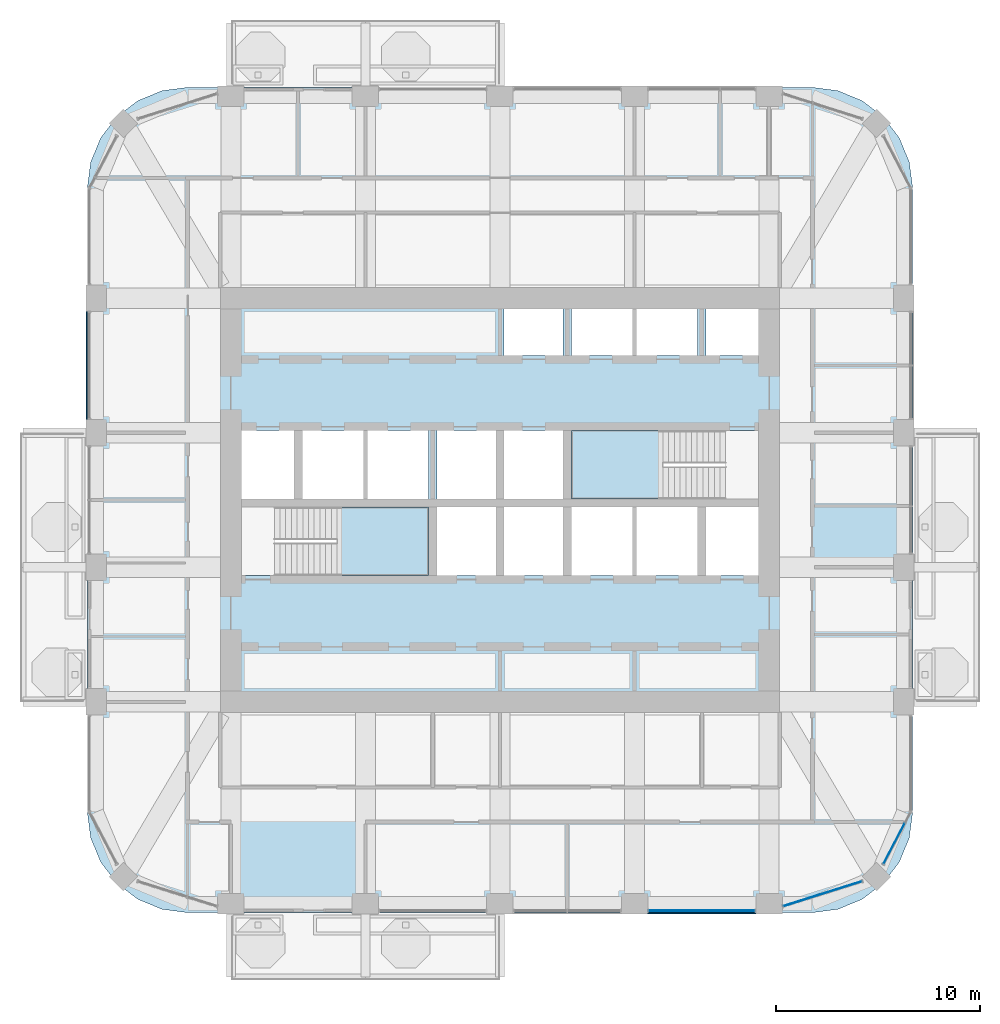
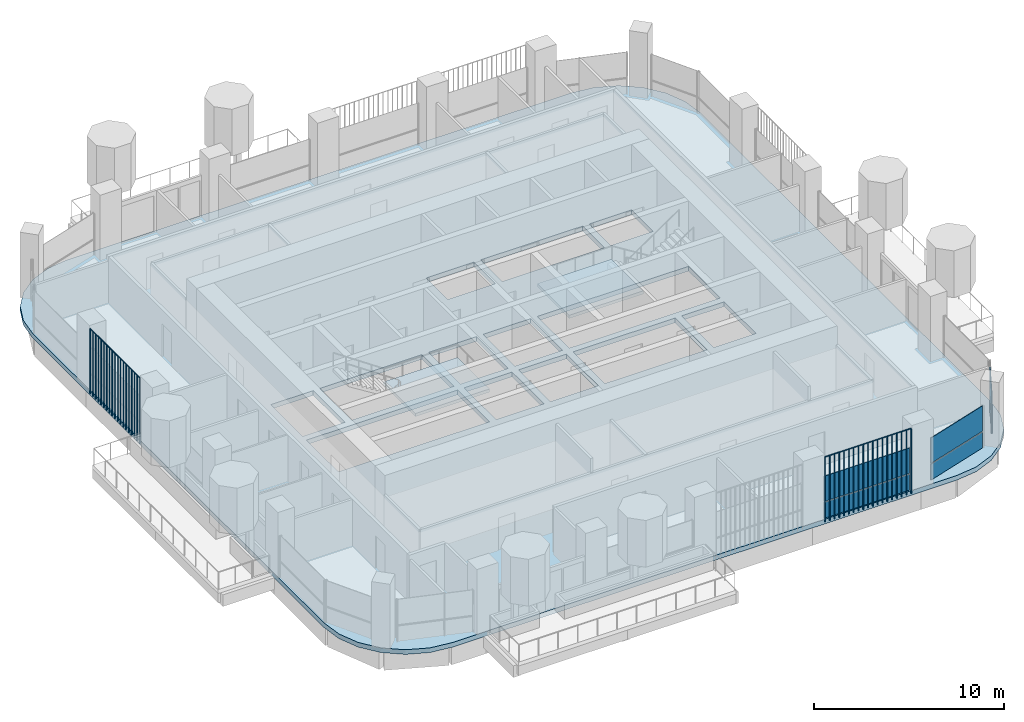
# One storey, part 8 of 20: 8 plates, 3 slabs, 5 elements without a shape of their own.
"""IFC4 building model written with IfcOpenShell, lengths in metres."""

import ifcopenshell
import ifcopenshell.guid

model = None  # the IFC model being written
_history = None  # IfcOwnerHistory: only IFC2X3 demands one
_inside = {}  # id of a spatial element -> (the spatial element, [elements in it])
_under = {}  # id of a project, library or spatial element -> (it, [spatial elements below it])
_declared = {}  # id of a project -> (the project, [libraries it declares])
_typed = {}  # id of a type object -> (the type object, [elements of that type])
_made_of = {}  # id of a material, layer set ... -> (it, [elements and type objects made of it])


def new_model(schema):
    """Start an empty IFC model of exactly this schema.

    Asked for "IFC4X3", IfcOpenShell would pick the latest addendum, in which some entities
    have other attributes; the version numbers below select the first issue.
    IFC2X3 requires an IfcOwnerHistory on every rooted entity: one is made here for all.
    """
    global model, _history
    if schema == "IFC4X3":
        model = ifcopenshell.file(schema_version=(4, 3, 0, 0))
    else:
        model = ifcopenshell.file(schema=schema)
    _inside.clear()
    _under.clear()
    _declared.clear()
    _typed.clear()
    _made_of.clear()
    _history = None
    if model.schema == "IFC2X3":
        org = make("IfcOrganization", Name="unknown")
        user = make(
            "IfcPersonAndOrganization",
            ThePerson=make("IfcPerson", FamilyName="unknown"),
            TheOrganization=org,
        )
        app = make(
            "IfcApplication",
            ApplicationDeveloper=org,
            Version="unknown",
            ApplicationFullName="unknown",
            ApplicationIdentifier="unknown",
        )
        _history = make(
            "IfcOwnerHistory",
            OwningUser=user,
            OwningApplication=app,
            ChangeAction="ADDED",
            CreationDate=0,
        )
    return model


def make(cls, **values):
    """One entity of the class cls with the attributes given. An attribute that is None is left unset."""
    return model.create_entity(
        cls, **{name: value for name, value in values.items() if value is not None}
    )


def rooted(cls, **values):
    """An entity with a GlobalId (a new one), such as an element, a storey or a relation."""
    return make(cls, GlobalId=ifcopenshell.guid.new(), OwnerHistory=_history, **values)


def si_unit(unit_type, name, prefix=None):
    """IfcSIUnit, for example si_unit("LENGTHUNIT", "METRE", prefix="MILLI")."""
    return make("IfcSIUnit", UnitType=unit_type, Prefix=prefix, Name=name)


def assignment(units):
    """IfcUnitAssignment: the units of a project."""
    return None if units is None else make("IfcUnitAssignment", Units=units)


def point(xyz):
    """IfcCartesianPoint."""
    return None if xyz is None else make("IfcCartesianPoint", Coordinates=xyz)


def direction(xyz):
    """IfcDirection."""
    return None if xyz is None else make("IfcDirection", DirectionRatios=xyz)


def frame(location, z_axis=None, x_axis=None):
    """IfcAxis2Placement3D, a coordinate frame: its origin and axes. An axis left out is left unset."""
    return make(
        "IfcAxis2Placement3D",
        Location=point(location),
        Axis=direction(z_axis),
        RefDirection=direction(x_axis),
    )


def frame_2d(location, x_axis=None):
    """IfcAxis2Placement2D, a coordinate frame in the plane: its origin and x axis."""
    return make(
        "IfcAxis2Placement2D", Location=point(location), RefDirection=direction(x_axis)
    )


def origin():
    """The frame at (0, 0, 0) with its axes left unset."""
    return frame((0.0, 0.0, 0.0))


def origin_2d():
    """The frame at (0, 0) in the plane with its x axis left unset."""
    return frame_2d((0.0, 0.0))


def place(relative_to, where):
    """IfcLocalPlacement: puts the frame where relative to a parent placement (None: the world)."""
    return make(
        "IfcLocalPlacement", PlacementRelTo=relative_to, RelativePlacement=where
    )


def context(
    kind, dimensions, precision=None, world=None, true_north=None, identifier=None
):
    """IfcGeometricRepresentationContext, for example the 3D "Model" context."""
    return make(
        "IfcGeometricRepresentationContext",
        ContextIdentifier=identifier,
        ContextType=kind,
        CoordinateSpaceDimension=dimensions,
        Precision=precision,
        WorldCoordinateSystem=world,
        TrueNorth=true_north,
    )


def subcontext(parent, identifier, kind, view, scale=None):
    """IfcGeometricRepresentationSubContext, for example "Body" below "Model"."""
    return make(
        "IfcGeometricRepresentationSubContext",
        ContextIdentifier=identifier,
        ContextType=kind,
        ParentContext=parent,
        TargetScale=scale,
        TargetView=view,
    )


def project(units=None, contexts=None):
    """IfcProject with its units and contexts."""
    return rooted(
        "IfcProject",
        Name="project",
        RepresentationContexts=contexts,
        UnitsInContext=assignment(units),
    )


def spatial(cls, under=None, at=None, **own):
    """A site, building, storey or space (cls), placed at a placement, below another one or the project."""
    s = rooted(cls, ObjectPlacement=at, **own)
    if under is not None:
        _under.setdefault(under.id(), (under, []))[1].append(s)
    return s


def polyline(points):
    """IfcPolyline through the points."""
    return make("IfcPolyline", Points=[point(p) for p in points])


def profile(cls, at=None, kind="AREA", **sizes):
    """A parametric profile (cls). Its sizes go by their IFC names, for example OverallWidth=200.0."""
    return make(cls, ProfileType=kind, Position=at, **sizes)


def rectangle(**sizes):
    """IfcRectangleProfileDef."""
    return profile("IfcRectangleProfileDef", **sizes)


def outline(outer, holes=None, kind="AREA"):
    """IfcArbitraryClosedProfileDef: a profile drawn as a closed curve; with holes, ...WithVoids."""
    if holes is None:
        return make("IfcArbitraryClosedProfileDef", ProfileType=kind, OuterCurve=outer)
    return make(
        "IfcArbitraryProfileDefWithVoids",
        ProfileType=kind,
        OuterCurve=outer,
        InnerCurves=holes,
    )


def extrude(swept, where, along, depth):
    """IfcExtrudedAreaSolid: the profile swept, set in the frame where, extruded along a direction by depth."""
    return make(
        "IfcExtrudedAreaSolid",
        SweptArea=swept,
        Position=where,
        ExtrudedDirection=direction(along),
        Depth=depth,
    )


def shape(context_of_items, identifier, shape_type, items):
    """IfcShapeRepresentation: the items that make up one representation, for example the "Body"."""
    return make(
        "IfcShapeRepresentation",
        ContextOfItems=context_of_items,
        RepresentationIdentifier=identifier,
        RepresentationType=shape_type,
        Items=items,
    )


def material(Name=None, Category=None):
    """IfcMaterial."""
    return make("IfcMaterial", Name=Name, Category=Category)


def layer(
    of_material, thickness, ventilated=None, Name=None, Category=None, Priority=None
):
    """IfcMaterialLayer: one layer of a wall or slab, of a material (None: an air gap)."""
    return make(
        "IfcMaterialLayer",
        Material=of_material,
        LayerThickness=thickness,
        IsVentilated=ventilated,
        Name=Name,
        Category=Category,
        Priority=Priority,
    )


def layer_set(layers, Name=None):
    """IfcMaterialLayerSet."""
    return make("IfcMaterialLayerSet", MaterialLayers=layers, LayerSetName=Name)


def made_of(thing, what):
    """Note that an element or type object is made of a material, layer set ...; save() writes the relation."""
    if what is not None:
        _made_of.setdefault(what.id(), (what, []))[1].append(thing)
    return thing


def type_object(cls, material=None, **own):
    """A type object (cls), such as IfcWallType, which elements share."""
    return made_of(rooted(cls, **own), material)


def element(
    cls,
    number,
    at=None,
    inside=None,
    cuts=None,
    type_object=None,
    material=None,
    context=None,
    identifier="Body",
    shape_type=None,
    held_by="IfcProductDefinitionShape",
    body=None,
    shapes=None,
    **own,
):
    """One element of the class cls, such as IfcWall. Its Tag is "e" and its number.

    at: its placement. inside: the storey or other place that contains it. cuts: it is an
    opening in that element (IfcRelVoidsElement). A single representation is given by context,
    identifier, shape_type and body (its items); several are given by shapes. held_by: the class
    of the entity that holds the representations. save() writes the other relations.
    """
    e = rooted(cls, Tag="e%d" % number, ObjectPlacement=at, **own)
    if body is not None:
        shapes = [shape(context, identifier, shape_type, body)]
    if shapes is not None:
        e.Representation = make(held_by, Representations=shapes)
    if inside is not None:
        _inside.setdefault(inside.id(), (inside, []))[1].append(e)
    if cuts is not None:
        rooted(
            "IfcRelVoidsElement", RelatingBuildingElement=cuts, RelatedOpeningElement=e
        )
    if type_object is not None:
        _typed.setdefault(type_object.id(), (type_object, []))[1].append(e)
    return made_of(e, material)


def aggregate(whole, parts):
    """IfcRelAggregates: a whole, such as a stair, and the parts it consists of."""
    return rooted("IfcRelAggregates", RelatingObject=whole, RelatedObjects=parts)


def save(model, path):
    """Write the relations noted so far, then the file.

    IfcRelAggregates (storeys below a building ...), IfcRelContainedInSpatialStructure (elements
    in a storey), IfcRelDefinesByType, IfcRelAssociatesMaterial and IfcRelDeclares: one each for
    every whole, place, type object, material and project.
    """
    for whole, parts in _under.values():
        aggregate(whole, parts)
    for where, things in _inside.values():
        rooted(
            "IfcRelContainedInSpatialStructure",
            RelatedElements=things,
            RelatingStructure=where,
        )
    for kind, things in _typed.values():
        rooted("IfcRelDefinesByType", RelatedObjects=things, RelatingType=kind)
    for what, things in _made_of.values():
        rooted("IfcRelAssociatesMaterial", RelatedObjects=things, RelatingMaterial=what)
    for by, libraries in _declared.values():
        rooted("IfcRelDeclares", RelatingContext=by, RelatedDefinitions=libraries)
    model.write(path)


model = new_model("IFC4")

# Units and contexts
model_context = context("Model", 3, precision=1e-05, world=origin(), true_north=direction((0.0, 1.0)))
body_context = subcontext(model_context, "Body", "Model", "MODEL_VIEW")
ifc_project = project(units=[si_unit("LENGTHUNIT", "METRE"), si_unit("AREAUNIT", "SQUARE_METRE"), si_unit("VOLUMEUNIT", "CUBIC_METRE"), si_unit("PLANEANGLEUNIT", "RADIAN"), si_unit("MASSUNIT", "GRAM", prefix="KILO")], contexts=[model_context])

# Site, building, storey
site_placement = place(None, origin())
site = spatial("IfcSite", under=ifc_project, at=site_placement, CompositionType="ELEMENT")
building_placement = place(site_placement, origin())
building = spatial("IfcBuilding", under=site, at=building_placement, Name="Cobogo Forest Laboratory Tower", CompositionType="ELEMENT")
storey_placement = place(building_placement, frame((0.0, 0.0, 254.39990234375)))
storey = spatial("IfcBuildingStorey", under=building, at=storey_placement, Name="L58", CompositionType="ELEMENT", Elevation=254.39990234375)

# Slab
ifc_material_1 = material(Name="Concrete HA-40 (C40/50)", Category="concrete")
ifc_layer_1 = layer(ifc_material_1, 0.300048828125)
ifc_layer_set_1 = layer_set([ifc_layer_1], Name="Floor slab 300")
slab_type_1 = type_object("IfcSlabType", Name="Floor slab 300", PredefinedType="FLOOR", material=ifc_layer_set_1)
slab_1_placement = place(storey_placement, frame((0.0, 0.0, -0.2998046875)))
element("IfcSlab", 1, at=slab_1_placement, inside=storey, type_object=slab_type_1, Name="L58 floor slab", PredefinedType="FLOOR", context=body_context, shape_type="SweptSolid", body=[
    extrude(outline(polyline([(41.699951171875, 2.85009765625), (42.981201171875, 3.0185546875), (44.175048828125, 3.51318359375), (45.2001953125, 4.2998046875), (45.98681640625, 5.324951171875), (46.4814453125, 6.518798828125), (46.64990234375, 7.800048828125), (46.64990234375, 38.39990234375), (46.4814453125, 39.68115234375), (45.98681640625, 40.875), (45.2001953125, 41.900146484375), (44.175048828125, 42.686767578125), (42.981201171875, 43.181396484375), (41.699951171875, 43.35009765625), (11.10009765625, 43.35009765625), (9.81884765625, 43.181396484375), (8.625, 42.686767578125), (7.599853515625, 41.900146484375), (6.813232421875, 40.875), (6.318603515625, 39.68115234375), (6.14990234375, 38.39990234375), (6.14990234375, 7.800048828125), (6.318603515625, 6.518798828125), (6.813232421875, 5.324951171875), (7.599853515625, 4.2998046875), (8.625, 3.51318359375), (9.81884765625, 3.0185546875), (11.10009765625, 2.85009765625), (41.699951171875, 2.85009765625)]), holes=[polyline([(22.89990234375, 19.39990234375), (13.72509765625, 19.39990234375), (13.72509765625, 22.75), (22.89990234375, 22.75), (22.89990234375, 19.39990234375)]), polyline([(26.199951171875, 19.39990234375), (23.300048828125, 19.39990234375), (23.300048828125, 22.75), (26.199951171875, 22.75), (26.199951171875, 19.39990234375)]), polyline([(29.5, 19.39990234375), (26.60009765625, 19.39990234375), (26.60009765625, 22.75), (29.5, 22.75), (29.5, 19.39990234375)]), polyline([(36.10009765625, 22.75), (36.10009765625, 19.39990234375), (29.89990234375, 19.39990234375), (29.89990234375, 22.75), (36.10009765625, 22.75)]), polyline([(39.074951171875, 19.39990234375), (36.5, 19.39990234375), (36.5, 22.75), (39.074951171875, 22.75), (39.074951171875, 19.39990234375)]), polyline([(16.300048828125, 23.14990234375), (13.72509765625, 23.14990234375), (13.72509765625, 26.5), (16.300048828125, 26.5), (16.300048828125, 23.14990234375)]), polyline([(22.89990234375, 26.5), (22.89990234375, 23.14990234375), (16.699951171875, 23.14990234375), (16.699951171875, 26.5), (22.89990234375, 26.5)]), polyline([(26.199951171875, 23.14990234375), (23.300048828125, 23.14990234375), (23.300048828125, 26.5), (26.199951171875, 26.5), (26.199951171875, 23.14990234375)]), polyline([(29.5, 23.14990234375), (26.60009765625, 23.14990234375), (26.60009765625, 26.5), (29.5, 26.5), (29.5, 23.14990234375)]), polyline([(39.074951171875, 23.14990234375), (29.89990234375, 23.14990234375), (29.89990234375, 26.5), (39.074951171875, 26.5), (39.074951171875, 23.14990234375)]), polyline([(29.5, 30.199951171875), (26.60009765625, 30.199951171875), (26.60009765625, 32.47509765625), (29.5, 32.47509765625), (29.5, 30.199951171875)]), polyline([(36.10009765625, 32.47509765625), (36.10009765625, 30.199951171875), (29.89990234375, 30.199951171875), (29.89990234375, 32.47509765625), (36.10009765625, 32.47509765625)]), polyline([(39.074951171875, 30.199951171875), (36.5, 30.199951171875), (36.5, 32.47509765625), (39.074951171875, 32.47509765625), (39.074951171875, 30.199951171875)])]), origin(), (0.0, 0.0, 1.0), 0.2998046875),
])

# Curtain wall, plates
ifc_material_2 = material(Name="Aluminium curtain wall", Category="aluminium")
curtain_wall_type = type_object("IfcCurtainWallType", Name="CW-2 unitised curtain wall, solar control glazing, laboratory floors zones C and D", PredefinedType="USERDEFINED", material=ifc_material_2)
curtain_wall_1_placement = place(storey_placement, origin())
curtain_wall_1 = element("IfcCurtainWall", 2, at=curtain_wall_1_placement, inside=storey, type_object=curtain_wall_type, Name="Curtain wall 04 L58", ObjectType="UNITISED CURTAIN WALL", PredefinedType="USERDEFINED")
ifc_material_3 = material(Name="Solar control insulated glass", Category="glass")
ifc_layer_2 = layer(ifc_material_3, 0.031982421875)
ifc_layer_set_2 = layer_set([ifc_layer_2], Name="GP-2 solar control glass unit 32")
plate_type_1 = type_object("IfcPlateType", Name="GP-2 solar control glass unit 32", PredefinedType="CURTAIN_PANEL", material=ifc_layer_set_2)
plate_1_placement = place(storey_placement, frame((36.300048828125, 2.949951171875, 0.0), z_axis=(0.0, 0.0, 1.0), x_axis=(1.0, 0.0, 0.0)))
plate_1 = element("IfcPlate", 3, at=plate_1_placement, type_object=plate_type_1, Name="CW-2 panel 1.1", PredefinedType="CURTAIN_PANEL", context=body_context, shape_type="SweptSolid", body=[
    extrude(rectangle(XDim=5.179931640625, YDim=0.031982421875, at=origin_2d()), origin(), (0.0, 0.0, 1.0), 1.02001953125),
])
plate_2_placement = place(storey_placement, frame((36.300048828125, 2.949951171875, 1.080078125), z_axis=(0.0, 0.0, 1.0), x_axis=(1.0, 0.0, 0.0)))
plate_2 = element("IfcPlate", 4, at=plate_2_placement, type_object=plate_type_1, Name="CW-2 panel 1.2", PredefinedType="CURTAIN_PANEL", context=body_context, shape_type="SweptSolid", body=[
    extrude(rectangle(XDim=5.179931640625, YDim=0.031982421875, at=origin_2d()), origin(), (0.0, 0.0, 1.0), 1.6201171875),
])
aggregate(curtain_wall_1, [plate_1, plate_2])

curtain_wall_2_placement = place(storey_placement, origin())
curtain_wall_2 = element("IfcCurtainWall", 5, at=curtain_wall_2_placement, inside=storey, type_object=curtain_wall_type, Name="Curtain wall 05 L58", ObjectType="UNITISED CURTAIN WALL", PredefinedType="USERDEFINED")
plate_3_placement = place(storey_placement, frame((42.2275390625, 3.77978515625, 0.0), z_axis=(0.0, 0.0, 1.0), x_axis=(0.953581386052, 0.301135418334, 0.0)))
plate_3 = element("IfcPlate", 6, at=plate_3_placement, type_object=plate_type_1, Name="CW-2 panel 1.1", PredefinedType="CURTAIN_PANEL", context=body_context, shape_type="SweptSolid", body=[
    extrude(rectangle(XDim=4.02734375, YDim=0.031982421875, at=origin_2d()), origin(), (0.0, 0.0, 1.0), 1.02001953125),
])
plate_4_placement = place(storey_placement, frame((42.2275390625, 3.77978515625, 1.080078125), z_axis=(0.0, 0.0, 1.0), x_axis=(0.953581386052, 0.301135418334, 0.0)))
plate_4 = element("IfcPlate", 7, at=plate_4_placement, type_object=plate_type_1, Name="CW-2 panel 1.2", PredefinedType="CURTAIN_PANEL", context=body_context, shape_type="SweptSolid", body=[
    extrude(rectangle(XDim=4.02734375, YDim=0.031982421875, at=origin_2d()), origin(), (0.0, 0.0, 1.0), 1.6201171875),
])
aggregate(curtain_wall_2, [plate_3, plate_4])

curtain_wall_3_placement = place(storey_placement, origin())
curtain_wall_3 = element("IfcCurtainWall", 8, at=curtain_wall_3_placement, inside=storey, type_object=curtain_wall_type, Name="Curtain wall 06 L58", ObjectType="UNITISED CURTAIN WALL", PredefinedType="USERDEFINED")
plate_5_placement = place(storey_placement, frame((45.7353515625, 6.24609375, 0.0), z_axis=(0.0, 0.0, 1.0), x_axis=(0.464283791352, 0.885686491422, 0.0)))
plate_5 = element("IfcPlate", 9, at=plate_5_placement, type_object=plate_type_1, Name="CW-2 panel 1.1", PredefinedType="CURTAIN_PANEL", context=body_context, shape_type="SweptSolid", body=[
    extrude(rectangle(XDim=2.236328125, YDim=0.031982421875, at=origin_2d()), origin(), (0.0, 0.0, 1.0), 1.02001953125),
])
plate_6_placement = place(storey_placement, frame((45.7353515625, 6.24609375, 1.080078125), z_axis=(0.0, 0.0, 1.0), x_axis=(0.464283791352, 0.885686491422, 0.0)))
plate_6 = element("IfcPlate", 10, at=plate_6_placement, type_object=plate_type_1, Name="CW-2 panel 1.2", PredefinedType="CURTAIN_PANEL", context=body_context, shape_type="SweptSolid", body=[
    extrude(rectangle(XDim=2.236328125, YDim=0.031982421875, at=origin_2d()), origin(), (0.0, 0.0, 1.0), 1.6201171875),
])
aggregate(curtain_wall_3, [plate_5, plate_6])

# Stair, slab
ifc_material_4 = material(Name="Precast concrete HA-40 (C40/50)", Category="concrete")
stair_type = type_object("IfcStairType", Name="ST24 exit stair 24 risers", PredefinedType="HALF_TURN_STAIR", material=ifc_material_4)
stair_1_placement = place(storey_placement, origin())
stair_1 = element("IfcStair", 11, at=stair_1_placement, inside=storey, type_object=stair_type, Name="Stair 1 L58 to L59", PredefinedType="HALF_TURN_STAIR")
ifc_layer_3 = layer(ifc_material_1, 0.199951171875)
ifc_layer_set_3 = layer_set([ifc_layer_3], Name="SL stair landing 200")
slab_type_2 = type_object("IfcSlabType", Name="SL stair landing 200", PredefinedType="LANDING", material=ifc_layer_set_3)
slab_2_placement = place(storey_placement, frame((0.0, 0.0, 1.900146484375)))
slab_2 = element("IfcSlab", 12, at=slab_2_placement, type_object=slab_type_2, Name="ST1 landing 2", PredefinedType="LANDING", context=body_context, shape_type="SweptSolid", body=[
    extrude(outline(polyline([(18.403076171875, 19.39990234375), (22.89990234375, 19.39990234375), (22.89990234375, 22.75), (18.403076171875, 22.75), (18.403076171875, 19.39990234375)])), origin(), (0.0, 0.0, 1.0), 0.199951171875),
])
aggregate(stair_1, [slab_2])

stair_2_placement = place(storey_placement, origin())
stair_2 = element("IfcStair", 13, at=stair_2_placement, inside=storey, type_object=stair_type, Name="Stair 2 L58 to L59", PredefinedType="HALF_TURN_STAIR")
slab_3_placement = place(storey_placement, frame((0.0, 0.0, 1.900146484375)))
slab_3 = element("IfcSlab", 14, at=slab_3_placement, type_object=slab_type_2, Name="ST2 landing 2", PredefinedType="LANDING", context=body_context, shape_type="SweptSolid", body=[
    extrude(outline(polyline([(29.89990234375, 23.14990234375), (34.39697265625, 23.14990234375), (34.39697265625, 26.5), (29.89990234375, 26.5), (29.89990234375, 23.14990234375)])), origin(), (0.0, 0.0, 1.0), 0.199951171875),
])
aggregate(stair_2, [slab_3])

# Plates
ifc_material_5 = material(Name="Terracotta", Category="masonry")
plate_type_2 = type_object("IfcPlateType", Name="TB1 terracotta baguette screen", PredefinedType="USERDEFINED", material=ifc_material_5)
plate_7_placement = place(storey_placement, frame((33.68115234375, 2.822021484375, -0.14990234375)))
element("IfcPlate", 15, at=plate_7_placement, inside=storey, type_object=plate_type_2, Name="Baguette screen S4 L58", ObjectType="BAGUETTE SCREEN", PredefinedType="USERDEFINED", context=body_context, shape_type="SweptSolid", body=[
    extrude(outline(polyline([(0.02880859375, 0.011962890625), (0.011962890625, 0.02880859375), (-0.011962890625, 0.02880859375), (-0.02880859375, 0.011962890625), (-0.02880859375, -0.011962890625), (-0.011962890625, -0.02880859375), (0.011962890625, -0.02880859375), (0.02880859375, -0.011962890625), (0.02880859375, 0.011962890625)])), frame((0.0, 0.0, 4.168701171875), z_axis=(1.0, 0.0, 0.0), x_axis=(0.0, 1.0, 0.0)), (0.0, 0.0, 1.0), 5.237548828125),
    extrude(outline(polyline([(0.02880859375, 0.011962890625), (0.011962890625, 0.02880859375), (-0.011962890625, 0.02880859375), (-0.02880859375, 0.011962890625), (-0.02880859375, -0.011962890625), (-0.011962890625, -0.02880859375), (0.011962890625, -0.02880859375), (0.02880859375, -0.011962890625), (0.02880859375, 0.011962890625)])), origin(), (0.0, 0.0, 1.0), 4.137451171875),
    extrude(outline(polyline([(0.02880859375, 0.011962890625), (0.011962890625, 0.02880859375), (-0.011962890625, 0.02880859375), (-0.02880859375, 0.011962890625), (-0.02880859375, -0.011962890625), (-0.011962890625, -0.02880859375), (0.011962890625, -0.02880859375), (0.02880859375, -0.011962890625), (0.02880859375, 0.011962890625)])), frame((0.291015625, 0.0, 0.0)), (0.0, 0.0, 1.0), 4.137451171875),
    extrude(outline(polyline([(0.02880859375, 0.011962890625), (0.011962890625, 0.02880859375), (-0.011962890625, 0.02880859375), (-0.02880859375, 0.011962890625), (-0.02880859375, -0.011962890625), (-0.011962890625, -0.02880859375), (0.011962890625, -0.02880859375), (0.02880859375, -0.011962890625), (0.02880859375, 0.011962890625)])), frame((0.58203125, 0.0, 0.0)), (0.0, 0.0, 1.0), 4.137451171875),
    extrude(outline(polyline([(0.02880859375, 0.011962890625), (0.011962890625, 0.02880859375), (-0.011962890625, 0.02880859375), (-0.02880859375, 0.011962890625), (-0.02880859375, -0.011962890625), (-0.011962890625, -0.02880859375), (0.011962890625, -0.02880859375), (0.02880859375, -0.011962890625), (0.02880859375, 0.011962890625)])), frame((0.873046875, 0.0, 0.0)), (0.0, 0.0, 1.0), 4.137451171875),
    extrude(outline(polyline([(0.02880859375, 0.011962890625), (0.011962890625, 0.02880859375), (-0.011962890625, 0.02880859375), (-0.02880859375, 0.011962890625), (-0.02880859375, -0.011962890625), (-0.011962890625, -0.02880859375), (0.011962890625, -0.02880859375), (0.02880859375, -0.011962890625), (0.02880859375, 0.011962890625)])), frame((1.163818359375, 0.0, 0.0)), (0.0, 0.0, 1.0), 4.137451171875),
    extrude(outline(polyline([(0.02880859375, 0.011962890625), (0.011962890625, 0.02880859375), (-0.011962890625, 0.02880859375), (-0.02880859375, 0.011962890625), (-0.02880859375, -0.011962890625), (-0.011962890625, -0.02880859375), (0.011962890625, -0.02880859375), (0.02880859375, -0.011962890625), (0.02880859375, 0.011962890625)])), frame((1.454833984375, 0.0, 0.0)), (0.0, 0.0, 1.0), 4.137451171875),
    extrude(outline(polyline([(0.02880859375, 0.011962890625), (0.011962890625, 0.02880859375), (-0.011962890625, 0.02880859375), (-0.02880859375, 0.011962890625), (-0.02880859375, -0.011962890625), (-0.011962890625, -0.02880859375), (0.011962890625, -0.02880859375), (0.02880859375, -0.011962890625), (0.02880859375, 0.011962890625)])), frame((1.745849609375, 0.0, 0.0)), (0.0, 0.0, 1.0), 4.137451171875),
    extrude(outline(polyline([(0.02880859375, 0.011962890625), (0.011962890625, 0.02880859375), (-0.011962890625, 0.02880859375), (-0.02880859375, 0.011962890625), (-0.02880859375, -0.011962890625), (-0.011962890625, -0.02880859375), (0.011962890625, -0.02880859375), (0.02880859375, -0.011962890625), (0.02880859375, 0.011962890625)])), frame((2.036865234375, 0.0, 0.0)), (0.0, 0.0, 1.0), 4.137451171875),
    extrude(outline(polyline([(0.02880859375, 0.011962890625), (0.011962890625, 0.02880859375), (-0.011962890625, 0.02880859375), (-0.02880859375, 0.011962890625), (-0.02880859375, -0.011962890625), (-0.011962890625, -0.02880859375), (0.011962890625, -0.02880859375), (0.02880859375, -0.011962890625), (0.02880859375, 0.011962890625)])), frame((2.327880859375, 0.0, 0.0)), (0.0, 0.0, 1.0), 4.137451171875),
    extrude(outline(polyline([(0.02880859375, 0.011962890625), (0.011962890625, 0.02880859375), (-0.011962890625, 0.02880859375), (-0.02880859375, 0.011962890625), (-0.02880859375, -0.011962890625), (-0.011962890625, -0.02880859375), (0.011962890625, -0.02880859375), (0.02880859375, -0.011962890625), (0.02880859375, 0.011962890625)])), frame((2.61865234375, 0.0, 0.0)), (0.0, 0.0, 1.0), 4.137451171875),
    extrude(outline(polyline([(0.02880859375, 0.011962890625), (0.011962890625, 0.02880859375), (-0.011962890625, 0.02880859375), (-0.02880859375, 0.011962890625), (-0.02880859375, -0.011962890625), (-0.011962890625, -0.02880859375), (0.011962890625, -0.02880859375), (0.02880859375, -0.011962890625), (0.02880859375, 0.011962890625)])), frame((2.90966796875, 0.0, 0.0)), (0.0, 0.0, 1.0), 4.137451171875),
    extrude(outline(polyline([(0.02880859375, 0.011962890625), (0.011962890625, 0.02880859375), (-0.011962890625, 0.02880859375), (-0.02880859375, 0.011962890625), (-0.02880859375, -0.011962890625), (-0.011962890625, -0.02880859375), (0.011962890625, -0.02880859375), (0.02880859375, -0.011962890625), (0.02880859375, 0.011962890625)])), frame((3.20068359375, 0.0, 0.0)), (0.0, 0.0, 1.0), 4.137451171875),
    extrude(outline(polyline([(0.02880859375, 0.011962890625), (0.011962890625, 0.02880859375), (-0.011962890625, 0.02880859375), (-0.02880859375, 0.011962890625), (-0.02880859375, -0.011962890625), (-0.011962890625, -0.02880859375), (0.011962890625, -0.02880859375), (0.02880859375, -0.011962890625), (0.02880859375, 0.011962890625)])), frame((3.49169921875, 0.0, 0.0)), (0.0, 0.0, 1.0), 4.137451171875),
    extrude(outline(polyline([(0.02880859375, 0.011962890625), (0.011962890625, 0.02880859375), (-0.011962890625, 0.02880859375), (-0.02880859375, 0.011962890625), (-0.02880859375, -0.011962890625), (-0.011962890625, -0.02880859375), (0.011962890625, -0.02880859375), (0.02880859375, -0.011962890625), (0.02880859375, 0.011962890625)])), frame((3.78271484375, 0.0, 0.0)), (0.0, 0.0, 1.0), 4.137451171875),
    extrude(outline(polyline([(0.02880859375, 0.011962890625), (0.011962890625, 0.02880859375), (-0.011962890625, 0.02880859375), (-0.02880859375, 0.011962890625), (-0.02880859375, -0.011962890625), (-0.011962890625, -0.02880859375), (0.011962890625, -0.02880859375), (0.02880859375, -0.011962890625), (0.02880859375, 0.011962890625)])), frame((4.07373046875, 0.0, 0.0)), (0.0, 0.0, 1.0), 4.137451171875),
    extrude(outline(polyline([(0.02880859375, 0.011962890625), (0.011962890625, 0.02880859375), (-0.011962890625, 0.02880859375), (-0.02880859375, 0.011962890625), (-0.02880859375, -0.011962890625), (-0.011962890625, -0.02880859375), (0.011962890625, -0.02880859375), (0.02880859375, -0.011962890625), (0.02880859375, 0.011962890625)])), frame((4.36474609375, 0.0, 0.0)), (0.0, 0.0, 1.0), 4.137451171875),
    extrude(outline(polyline([(0.02880859375, 0.011962890625), (0.011962890625, 0.02880859375), (-0.011962890625, 0.02880859375), (-0.02880859375, 0.011962890625), (-0.02880859375, -0.011962890625), (-0.011962890625, -0.02880859375), (0.011962890625, -0.02880859375), (0.02880859375, -0.011962890625), (0.02880859375, 0.011962890625)])), frame((4.655517578125, 0.0, 0.0)), (0.0, 0.0, 1.0), 4.137451171875),
    extrude(outline(polyline([(0.02880859375, 0.011962890625), (0.011962890625, 0.02880859375), (-0.011962890625, 0.02880859375), (-0.02880859375, 0.011962890625), (-0.02880859375, -0.011962890625), (-0.011962890625, -0.02880859375), (0.011962890625, -0.02880859375), (0.02880859375, -0.011962890625), (0.02880859375, 0.011962890625)])), frame((4.946533203125, 0.0, 0.0)), (0.0, 0.0, 1.0), 4.137451171875),
    extrude(outline(polyline([(0.02880859375, 0.011962890625), (0.011962890625, 0.02880859375), (-0.011962890625, 0.02880859375), (-0.02880859375, 0.011962890625), (-0.02880859375, -0.011962890625), (-0.011962890625, -0.02880859375), (0.011962890625, -0.02880859375), (0.02880859375, -0.011962890625), (0.02880859375, 0.011962890625)])), frame((5.237548828125, 0.0, 0.0)), (0.0, 0.0, 1.0), 4.137451171875),
])
plate_8_placement = place(storey_placement, frame((6.1220703125, 27.081298828125, -0.14990234375)))
element("IfcPlate", 16, at=plate_8_placement, inside=storey, type_object=plate_type_2, Name="Baguette screen W3 L58", ObjectType="BAGUETTE SCREEN", PredefinedType="USERDEFINED", context=body_context, shape_type="SweptSolid", body=[
    extrude(outline(polyline([(0.02880859375, 0.011962890625), (0.011962890625, 0.02880859375), (-0.011962890625, 0.02880859375), (-0.02880859375, 0.011962890625), (-0.02880859375, -0.011962890625), (-0.011962890625, -0.02880859375), (0.011962890625, -0.02880859375), (0.02880859375, -0.011962890625), (0.02880859375, 0.011962890625)])), frame((0.0, 0.0, 4.168701171875), z_axis=(0.0, 1.0, 0.0), x_axis=(-1.0, 0.0, 0.0)), (0.0, 0.0, 1.0), 5.237548828125),
    extrude(outline(polyline([(0.02880859375, 0.011962890625), (0.011962890625, 0.02880859375), (-0.011962890625, 0.02880859375), (-0.02880859375, 0.011962890625), (-0.02880859375, -0.011962890625), (-0.011962890625, -0.02880859375), (0.011962890625, -0.02880859375), (0.02880859375, -0.011962890625), (0.02880859375, 0.011962890625)])), origin(), (0.0, 0.0, 1.0), 4.137451171875),
    extrude(outline(polyline([(0.02880859375, 0.011962890625), (0.011962890625, 0.02880859375), (-0.011962890625, 0.02880859375), (-0.02880859375, 0.011962890625), (-0.02880859375, -0.011962890625), (-0.011962890625, -0.02880859375), (0.011962890625, -0.02880859375), (0.02880859375, -0.011962890625), (0.02880859375, 0.011962890625)])), frame((0.0, 0.291015625, 0.0)), (0.0, 0.0, 1.0), 4.137451171875),
    extrude(outline(polyline([(0.02880859375, 0.011962890625), (0.011962890625, 0.02880859375), (-0.011962890625, 0.02880859375), (-0.02880859375, 0.011962890625), (-0.02880859375, -0.011962890625), (-0.011962890625, -0.02880859375), (0.011962890625, -0.02880859375), (0.02880859375, -0.011962890625), (0.02880859375, 0.011962890625)])), frame((0.0, 0.58203125, 0.0)), (0.0, 0.0, 1.0), 4.137451171875),
    extrude(outline(polyline([(0.02880859375, 0.011962890625), (0.011962890625, 0.02880859375), (-0.011962890625, 0.02880859375), (-0.02880859375, 0.011962890625), (-0.02880859375, -0.011962890625), (-0.011962890625, -0.02880859375), (0.011962890625, -0.02880859375), (0.02880859375, -0.011962890625), (0.02880859375, 0.011962890625)])), frame((0.0, 0.873046875, 0.0)), (0.0, 0.0, 1.0), 4.137451171875),
    extrude(outline(polyline([(0.02880859375, 0.011962890625), (0.011962890625, 0.02880859375), (-0.011962890625, 0.02880859375), (-0.02880859375, 0.011962890625), (-0.02880859375, -0.011962890625), (-0.011962890625, -0.02880859375), (0.011962890625, -0.02880859375), (0.02880859375, -0.011962890625), (0.02880859375, 0.011962890625)])), frame((0.0, 1.163818359375, 0.0)), (0.0, 0.0, 1.0), 4.137451171875),
    extrude(outline(polyline([(0.02880859375, 0.011962890625), (0.011962890625, 0.02880859375), (-0.011962890625, 0.02880859375), (-0.02880859375, 0.011962890625), (-0.02880859375, -0.011962890625), (-0.011962890625, -0.02880859375), (0.011962890625, -0.02880859375), (0.02880859375, -0.011962890625), (0.02880859375, 0.011962890625)])), frame((0.0, 1.454833984375, 0.0)), (0.0, 0.0, 1.0), 4.137451171875),
    extrude(outline(polyline([(0.02880859375, 0.011962890625), (0.011962890625, 0.02880859375), (-0.011962890625, 0.02880859375), (-0.02880859375, 0.011962890625), (-0.02880859375, -0.011962890625), (-0.011962890625, -0.02880859375), (0.011962890625, -0.02880859375), (0.02880859375, -0.011962890625), (0.02880859375, 0.011962890625)])), frame((0.0, 1.745849609375, 0.0)), (0.0, 0.0, 1.0), 4.137451171875),
    extrude(outline(polyline([(0.02880859375, 0.011962890625), (0.011962890625, 0.02880859375), (-0.011962890625, 0.02880859375), (-0.02880859375, 0.011962890625), (-0.02880859375, -0.011962890625), (-0.011962890625, -0.02880859375), (0.011962890625, -0.02880859375), (0.02880859375, -0.011962890625), (0.02880859375, 0.011962890625)])), frame((0.0, 2.036865234375, 0.0)), (0.0, 0.0, 1.0), 4.137451171875),
    extrude(outline(polyline([(0.02880859375, 0.011962890625), (0.011962890625, 0.02880859375), (-0.011962890625, 0.02880859375), (-0.02880859375, 0.011962890625), (-0.02880859375, -0.011962890625), (-0.011962890625, -0.02880859375), (0.011962890625, -0.02880859375), (0.02880859375, -0.011962890625), (0.02880859375, 0.011962890625)])), frame((0.0, 2.327880859375, 0.0)), (0.0, 0.0, 1.0), 4.137451171875),
    extrude(outline(polyline([(0.02880859375, 0.011962890625), (0.011962890625, 0.02880859375), (-0.011962890625, 0.02880859375), (-0.02880859375, 0.011962890625), (-0.02880859375, -0.011962890625), (-0.011962890625, -0.02880859375), (0.011962890625, -0.02880859375), (0.02880859375, -0.011962890625), (0.02880859375, 0.011962890625)])), frame((0.0, 2.61865234375, 0.0)), (0.0, 0.0, 1.0), 4.137451171875),
    extrude(outline(polyline([(0.02880859375, 0.011962890625), (0.011962890625, 0.02880859375), (-0.011962890625, 0.02880859375), (-0.02880859375, 0.011962890625), (-0.02880859375, -0.011962890625), (-0.011962890625, -0.02880859375), (0.011962890625, -0.02880859375), (0.02880859375, -0.011962890625), (0.02880859375, 0.011962890625)])), frame((0.0, 2.90966796875, 0.0)), (0.0, 0.0, 1.0), 4.137451171875),
    extrude(outline(polyline([(0.02880859375, 0.011962890625), (0.011962890625, 0.02880859375), (-0.011962890625, 0.02880859375), (-0.02880859375, 0.011962890625), (-0.02880859375, -0.011962890625), (-0.011962890625, -0.02880859375), (0.011962890625, -0.02880859375), (0.02880859375, -0.011962890625), (0.02880859375, 0.011962890625)])), frame((0.0, 3.20068359375, 0.0)), (0.0, 0.0, 1.0), 4.137451171875),
    extrude(outline(polyline([(0.02880859375, 0.011962890625), (0.011962890625, 0.02880859375), (-0.011962890625, 0.02880859375), (-0.02880859375, 0.011962890625), (-0.02880859375, -0.011962890625), (-0.011962890625, -0.02880859375), (0.011962890625, -0.02880859375), (0.02880859375, -0.011962890625), (0.02880859375, 0.011962890625)])), frame((0.0, 3.49169921875, 0.0)), (0.0, 0.0, 1.0), 4.137451171875),
    extrude(outline(polyline([(0.02880859375, 0.011962890625), (0.011962890625, 0.02880859375), (-0.011962890625, 0.02880859375), (-0.02880859375, 0.011962890625), (-0.02880859375, -0.011962890625), (-0.011962890625, -0.02880859375), (0.011962890625, -0.02880859375), (0.02880859375, -0.011962890625), (0.02880859375, 0.011962890625)])), frame((0.0, 3.78271484375, 0.0)), (0.0, 0.0, 1.0), 4.137451171875),
    extrude(outline(polyline([(0.02880859375, 0.011962890625), (0.011962890625, 0.02880859375), (-0.011962890625, 0.02880859375), (-0.02880859375, 0.011962890625), (-0.02880859375, -0.011962890625), (-0.011962890625, -0.02880859375), (0.011962890625, -0.02880859375), (0.02880859375, -0.011962890625), (0.02880859375, 0.011962890625)])), frame((0.0, 4.07373046875, 0.0)), (0.0, 0.0, 1.0), 4.137451171875),
    extrude(outline(polyline([(0.02880859375, 0.011962890625), (0.011962890625, 0.02880859375), (-0.011962890625, 0.02880859375), (-0.02880859375, 0.011962890625), (-0.02880859375, -0.011962890625), (-0.011962890625, -0.02880859375), (0.011962890625, -0.02880859375), (0.02880859375, -0.011962890625), (0.02880859375, 0.011962890625)])), frame((0.0, 4.36474609375, 0.0)), (0.0, 0.0, 1.0), 4.137451171875),
    extrude(outline(polyline([(0.02880859375, 0.011962890625), (0.011962890625, 0.02880859375), (-0.011962890625, 0.02880859375), (-0.02880859375, 0.011962890625), (-0.02880859375, -0.011962890625), (-0.011962890625, -0.02880859375), (0.011962890625, -0.02880859375), (0.02880859375, -0.011962890625), (0.02880859375, 0.011962890625)])), frame((0.0, 4.655517578125, 0.0)), (0.0, 0.0, 1.0), 4.137451171875),
    extrude(outline(polyline([(0.02880859375, 0.011962890625), (0.011962890625, 0.02880859375), (-0.011962890625, 0.02880859375), (-0.02880859375, 0.011962890625), (-0.02880859375, -0.011962890625), (-0.011962890625, -0.02880859375), (0.011962890625, -0.02880859375), (0.02880859375, -0.011962890625), (0.02880859375, 0.011962890625)])), frame((0.0, 4.946533203125, 0.0)), (0.0, 0.0, 1.0), 4.137451171875),
    extrude(outline(polyline([(0.02880859375, 0.011962890625), (0.011962890625, 0.02880859375), (-0.011962890625, 0.02880859375), (-0.02880859375, 0.011962890625), (-0.02880859375, -0.011962890625), (-0.011962890625, -0.02880859375), (0.011962890625, -0.02880859375), (0.02880859375, -0.011962890625), (0.02880859375, 0.011962890625)])), frame((0.0, 5.237548828125, 0.0)), (0.0, 0.0, 1.0), 4.137451171875),
])

save(model, "model.ifc")
